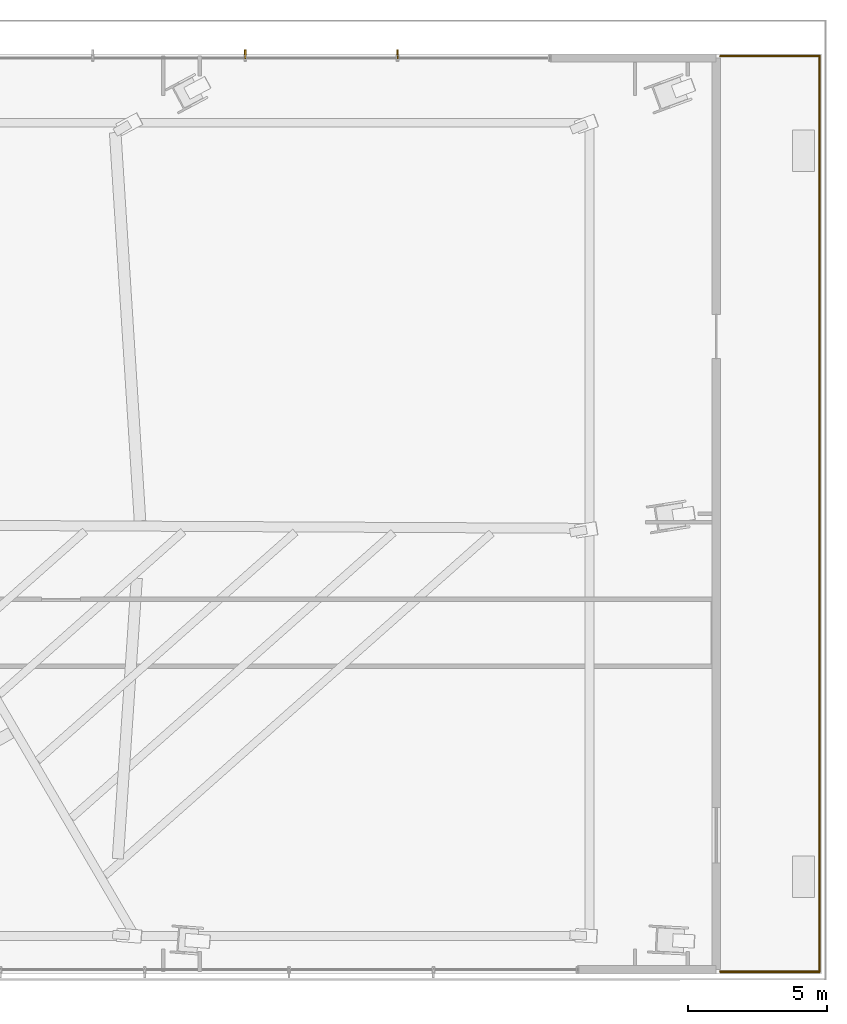
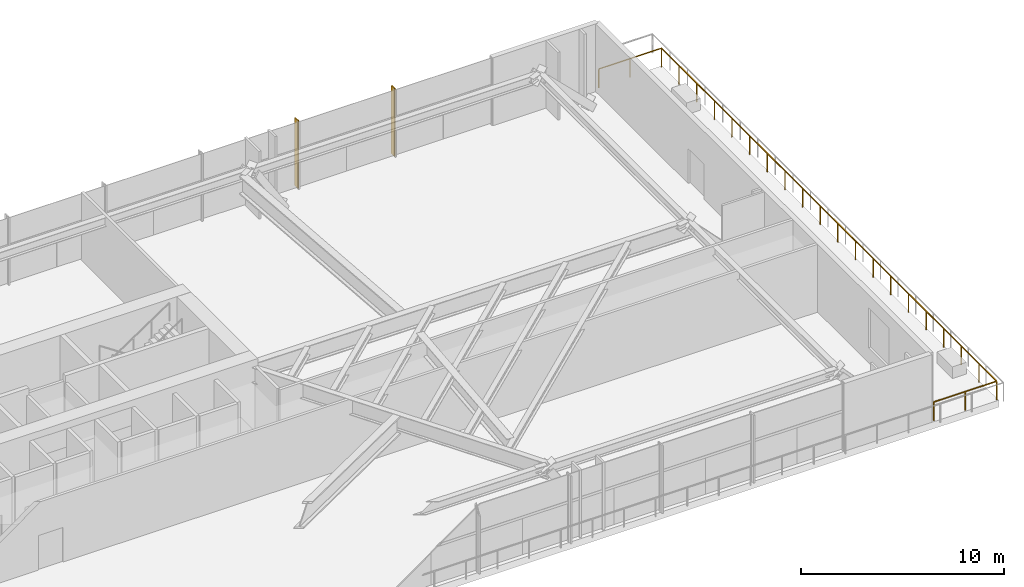
# One storey, part 32 of 33: 2 railings, 2 shading devices.
"""IFC4 building model written with IfcOpenShell, lengths in metres."""

from ifc_helpers import new_model, si_unit, direction, frame, origin, origin_2d, place, context, subcontext, project, spatial, rectangle, extrude, source, transform, mapped, material, type_object, type_shapes, element, save


model = new_model("IFC4")

# Units and contexts
model_context = context("Model", 3, precision=1e-05, world=origin(), true_north=direction((0.0, 1.0)))
body_context = subcontext(model_context, "Body", "Model", "MODEL_VIEW")
ifc_project = project(units=[si_unit("LENGTHUNIT", "METRE"), si_unit("AREAUNIT", "SQUARE_METRE"), si_unit("VOLUMEUNIT", "CUBIC_METRE"), si_unit("PLANEANGLEUNIT", "RADIAN"), si_unit("MASSUNIT", "GRAM", prefix="KILO")], contexts=[model_context])

# Site, building, storey
site_placement = place(None, origin())
site = spatial("IfcSite", under=ifc_project, at=site_placement, CompositionType="ELEMENT")
building_placement = place(site_placement, origin())
building = spatial("IfcBuilding", under=site, at=building_placement, Name="Astriad Promenade Condominiums", CompositionType="ELEMENT")
storey_placement = place(building_placement, frame((0.0, 0.0, 9.5)))
storey = spatial("IfcBuildingStorey", under=building, at=storey_placement, Name="L02", CompositionType="ELEMENT", Elevation=9.5)

# Shading devices
ifc_material_1 = material(Name="Anodised aluminium 6063-T6 Black Fin", Category="aluminium")
shading_device_type = type_object("IfcShadingDeviceType", Name="FIN-BLACK-320", PredefinedType="USERDEFINED", material=ifc_material_1)
shared_shape_1 = source(origin(), body_context, "Body", "SweptSolid", [
    extrude(rectangle(XDim=0.06494140625, YDim=0.320068359375, at=origin_2d()), origin(), (0.0, 0.0, 1.0), 4.080078125),
])
type_shapes(shading_device_type, [shared_shape_1])
for number, where, z_axis, x_axis, name in (
    (1, (58.25, 34.389892578125, 0.0), (0.0, 0.0, 1.0), (1.0, 0.0, 0.0), "CW-L02-N-FIN-09"),
    (2, (63.75, 34.389892578125, 0.0), (0.0, 0.0, 1.0), (1.0, 0.0, 0.0), "CW-L02-N-FIN-10"),
):
    element("IfcShadingDevice", number, at=place(storey_placement, frame(where, z_axis=z_axis, x_axis=x_axis)), inside=storey, type_object=shading_device_type, Name=name, ObjectType="FIN", PredefinedType="USERDEFINED", context=body_context, shape_type="MappedRepresentation", body=[
        mapped(shared_shape_1, transform((0.0, 0.0, 0.0), scale=1.0)),
    ])

# Railings
ifc_material_2 = material(Name="Anodised Aluminium and Glass Terrace Guardrail", Category="aluminium")
railing_type = type_object("IfcRailingType", Name="GRD-TERR-1150", PredefinedType="GUARDRAIL", material=ifc_material_2)
shared_shape_2 = source(origin(), body_context, "Body", "SweptSolid", [
    extrude(rectangle(XDim=0.048095703125, YDim=0.048095703125, at=origin_2d()), frame((0.0, 0.0, 1.1259765625), z_axis=(1.0, 0.0, 0.0), x_axis=(0.0, 1.0, 0.0)), (0.0, 0.0, 1.0), 3.570068359375),
    extrude(rectangle(XDim=0.048095703125, YDim=0.048095703125, at=origin_2d()), frame((3.570068359375, 0.0, 1.1259765625), z_axis=(0.0, 1.0, 0.0), x_axis=(-1.0, 0.0, 0.0)), (0.0, 0.0, 1.0), 33.0400390625),
    extrude(rectangle(XDim=0.048095703125, YDim=0.048095703125, at=origin_2d()), frame((3.570068359375, 33.0400390625, 1.1259765625), z_axis=(-1.0, 0.0, 0.0), x_axis=(0.0, -1.0, 0.0)), (0.0, 0.0, 1.0), 3.570068359375),
    extrude(rectangle(XDim=0.0419921875, YDim=0.0419921875, at=origin_2d()), origin(), (0.0, 0.0, 1.0), 1.101806640625),
    extrude(rectangle(XDim=0.0419921875, YDim=0.0419921875, at=origin_2d()), frame((1.78515625, 0.0, 0.0)), (0.0, 0.0, 1.0), 1.101806640625),
    extrude(rectangle(XDim=0.0419921875, YDim=0.0419921875, at=origin_2d()), frame((3.570068359375, 0.0, 0.0)), (0.0, 0.0, 1.0), 1.101806640625),
    extrude(rectangle(XDim=0.0419921875, YDim=0.0419921875, at=origin_2d()), frame((3.570068359375, 1.739013671875, 0.0)), (0.0, 0.0, 1.0), 1.101806640625),
    extrude(rectangle(XDim=0.0419921875, YDim=0.0419921875, at=origin_2d()), frame((3.570068359375, 3.477783203125, 0.0)), (0.0, 0.0, 1.0), 1.101806640625),
    extrude(rectangle(XDim=0.0419921875, YDim=0.0419921875, at=origin_2d()), frame((3.570068359375, 5.216796875, 0.0)), (0.0, 0.0, 1.0), 1.101806640625),
    extrude(rectangle(XDim=0.0419921875, YDim=0.0419921875, at=origin_2d()), frame((3.570068359375, 6.955810546875, 0.0)), (0.0, 0.0, 1.0), 1.101806640625),
    extrude(rectangle(XDim=0.0419921875, YDim=0.0419921875, at=origin_2d()), frame((3.570068359375, 8.69482421875, 0.0)), (0.0, 0.0, 1.0), 1.101806640625),
    extrude(rectangle(XDim=0.0419921875, YDim=0.0419921875, at=origin_2d()), frame((3.570068359375, 10.43359375, 0.0)), (0.0, 0.0, 1.0), 1.101806640625),
    extrude(rectangle(XDim=0.0419921875, YDim=0.0419921875, at=origin_2d()), frame((3.570068359375, 12.172607421875, 0.0)), (0.0, 0.0, 1.0), 1.101806640625),
    extrude(rectangle(XDim=0.0419921875, YDim=0.0419921875, at=origin_2d()), frame((3.570068359375, 13.91162109375, 0.0)), (0.0, 0.0, 1.0), 1.101806640625),
    extrude(rectangle(XDim=0.0419921875, YDim=0.0419921875, at=origin_2d()), frame((3.570068359375, 15.650634765625, 0.0)), (0.0, 0.0, 1.0), 1.101806640625),
    extrude(rectangle(XDim=0.0419921875, YDim=0.0419921875, at=origin_2d()), frame((3.570068359375, 17.389404296875, 0.0)), (0.0, 0.0, 1.0), 1.101806640625),
    extrude(rectangle(XDim=0.0419921875, YDim=0.0419921875, at=origin_2d()), frame((3.570068359375, 19.12841796875, 0.0)), (0.0, 0.0, 1.0), 1.101806640625),
    extrude(rectangle(XDim=0.0419921875, YDim=0.0419921875, at=origin_2d()), frame((3.570068359375, 20.867431640625, 0.0)), (0.0, 0.0, 1.0), 1.101806640625),
    extrude(rectangle(XDim=0.0419921875, YDim=0.0419921875, at=origin_2d()), frame((3.570068359375, 22.6064453125, 0.0)), (0.0, 0.0, 1.0), 1.101806640625),
    extrude(rectangle(XDim=0.0419921875, YDim=0.0419921875, at=origin_2d()), frame((3.570068359375, 24.34521484375, 0.0)), (0.0, 0.0, 1.0), 1.101806640625),
    extrude(rectangle(XDim=0.0419921875, YDim=0.0419921875, at=origin_2d()), frame((3.570068359375, 26.084228515625, 0.0)), (0.0, 0.0, 1.0), 1.101806640625),
    extrude(rectangle(XDim=0.0419921875, YDim=0.0419921875, at=origin_2d()), frame((3.570068359375, 27.8232421875, 0.0)), (0.0, 0.0, 1.0), 1.101806640625),
    extrude(rectangle(XDim=0.0419921875, YDim=0.0419921875, at=origin_2d()), frame((3.570068359375, 29.562255859375, 0.0)), (0.0, 0.0, 1.0), 1.101806640625),
    extrude(rectangle(XDim=0.0419921875, YDim=0.0419921875, at=origin_2d()), frame((3.570068359375, 31.301025390625, 0.0)), (0.0, 0.0, 1.0), 1.101806640625),
    extrude(rectangle(XDim=0.0419921875, YDim=0.0419921875, at=origin_2d()), frame((3.570068359375, 33.0400390625, 0.0)), (0.0, 0.0, 1.0), 1.101806640625),
    extrude(rectangle(XDim=0.0419921875, YDim=0.0419921875, at=origin_2d()), frame((1.78515625, 33.0400390625, 0.0)), (0.0, 0.0, 1.0), 1.101806640625),
    extrude(rectangle(XDim=0.0419921875, YDim=0.0419921875, at=origin_2d()), frame((0.0, 33.0400390625, 0.0)), (0.0, 0.0, 1.0), 1.101806640625),
])
railing_1_placement = place(storey_placement, frame((75.39990234375, 1.280029296875, 0.0)))
element("IfcRailing", 3, at=railing_1_placement, inside=storey, type_object=railing_type, Name="GRD-TER-L02-1", PredefinedType="GUARDRAIL", context=body_context, shape_type="MappedRepresentation", body=[
    mapped(shared_shape_2, transform((0.0, 0.0, 0.0), scale=1.0)),
])
shared_shape_3 = source(origin(), body_context, "Body", "SweptSolid", [
    extrude(rectangle(XDim=0.048095703125, YDim=0.048095703125, at=origin_2d()), frame((0.0, 0.0, 1.1259765625), z_axis=(1.0, 0.0, 0.0), x_axis=(0.0, 1.0, 0.0)), (0.0, 0.0, 1.0), 3.580078125),
    extrude(rectangle(XDim=0.048095703125, YDim=0.048095703125, at=origin_2d()), frame((3.580078125, 0.0, 1.1259765625), z_axis=(0.0, 1.0, 0.0), x_axis=(-1.0, 0.0, 0.0)), (0.0, 0.0, 1.0), 33.061767578125),
    extrude(rectangle(XDim=0.0419921875, YDim=0.0419921875, at=origin_2d()), origin(), (0.0, 0.0, 1.0), 1.101806640625),
    extrude(rectangle(XDim=0.0419921875, YDim=0.0419921875, at=origin_2d()), frame((1.7900390625, 0.0, 0.0)), (0.0, 0.0, 1.0), 1.101806640625),
    extrude(rectangle(XDim=0.0419921875, YDim=0.0419921875, at=origin_2d()), frame((3.580078125, 0.0, 0.0)), (0.0, 0.0, 1.0), 1.101806640625),
    extrude(rectangle(XDim=0.0419921875, YDim=0.0419921875, at=origin_2d()), frame((3.580078125, 1.739990234375, 0.0)), (0.0, 0.0, 1.0), 1.101806640625),
    extrude(rectangle(XDim=0.0419921875, YDim=0.0419921875, at=origin_2d()), frame((3.580078125, 3.480224609375, 0.0)), (0.0, 0.0, 1.0), 1.101806640625),
    extrude(rectangle(XDim=0.0419921875, YDim=0.0419921875, at=origin_2d()), frame((3.580078125, 5.22021484375, 0.0)), (0.0, 0.0, 1.0), 1.101806640625),
    extrude(rectangle(XDim=0.0419921875, YDim=0.0419921875, at=origin_2d()), frame((3.580078125, 6.96044921875, 0.0)), (0.0, 0.0, 1.0), 1.101806640625),
    extrude(rectangle(XDim=0.0419921875, YDim=0.0419921875, at=origin_2d()), frame((3.580078125, 8.700439453125, 0.0)), (0.0, 0.0, 1.0), 1.101806640625),
    extrude(rectangle(XDim=0.0419921875, YDim=0.0419921875, at=origin_2d()), frame((3.580078125, 10.440673828125, 0.0)), (0.0, 0.0, 1.0), 1.101806640625),
    extrude(rectangle(XDim=0.0419921875, YDim=0.0419921875, at=origin_2d()), frame((3.580078125, 12.1806640625, 0.0)), (0.0, 0.0, 1.0), 1.101806640625),
    extrude(rectangle(XDim=0.0419921875, YDim=0.0419921875, at=origin_2d()), frame((3.580078125, 13.920654296875, 0.0)), (0.0, 0.0, 1.0), 1.101806640625),
    extrude(rectangle(XDim=0.0419921875, YDim=0.0419921875, at=origin_2d()), frame((3.580078125, 15.660888671875, 0.0)), (0.0, 0.0, 1.0), 1.101806640625),
    extrude(rectangle(XDim=0.0419921875, YDim=0.0419921875, at=origin_2d()), frame((3.580078125, 17.40087890625, 0.0)), (0.0, 0.0, 1.0), 1.101806640625),
    extrude(rectangle(XDim=0.0419921875, YDim=0.0419921875, at=origin_2d()), frame((3.580078125, 19.14111328125, 0.0)), (0.0, 0.0, 1.0), 1.101806640625),
    extrude(rectangle(XDim=0.0419921875, YDim=0.0419921875, at=origin_2d()), frame((3.580078125, 20.881103515625, 0.0)), (0.0, 0.0, 1.0), 1.101806640625),
    extrude(rectangle(XDim=0.0419921875, YDim=0.0419921875, at=origin_2d()), frame((3.580078125, 22.62109375, 0.0)), (0.0, 0.0, 1.0), 1.101806640625),
    extrude(rectangle(XDim=0.0419921875, YDim=0.0419921875, at=origin_2d()), frame((3.580078125, 24.361328125, 0.0)), (0.0, 0.0, 1.0), 1.101806640625),
    extrude(rectangle(XDim=0.0419921875, YDim=0.0419921875, at=origin_2d()), frame((3.580078125, 26.101318359375, 0.0)), (0.0, 0.0, 1.0), 1.101806640625),
    extrude(rectangle(XDim=0.0419921875, YDim=0.0419921875, at=origin_2d()), frame((3.580078125, 27.841552734375, 0.0)), (0.0, 0.0, 1.0), 1.101806640625),
    extrude(rectangle(XDim=0.0419921875, YDim=0.0419921875, at=origin_2d()), frame((3.580078125, 29.58154296875, 0.0)), (0.0, 0.0, 1.0), 1.101806640625),
    extrude(rectangle(XDim=0.0419921875, YDim=0.0419921875, at=origin_2d()), frame((3.580078125, 31.32177734375, 0.0)), (0.0, 0.0, 1.0), 1.101806640625),
    extrude(rectangle(XDim=0.0419921875, YDim=0.0419921875, at=origin_2d()), frame((3.580078125, 33.061767578125, 0.0)), (0.0, 0.0, 1.0), 1.101806640625),
])
type_shapes(railing_type, [shared_shape_2, shared_shape_3])
railing_2_placement = place(storey_placement, frame((75.39990234375, 1.27001953125, 0.0)))
element("IfcRailing", 4, at=railing_2_placement, inside=storey, type_object=railing_type, Name="GRD-PSTEP-L02-03", PredefinedType="GUARDRAIL", context=body_context, shape_type="MappedRepresentation", body=[
    mapped(shared_shape_3, transform((0.0, 0.0, 0.0), scale=1.0)),
])

save(model, "model.ifc")
